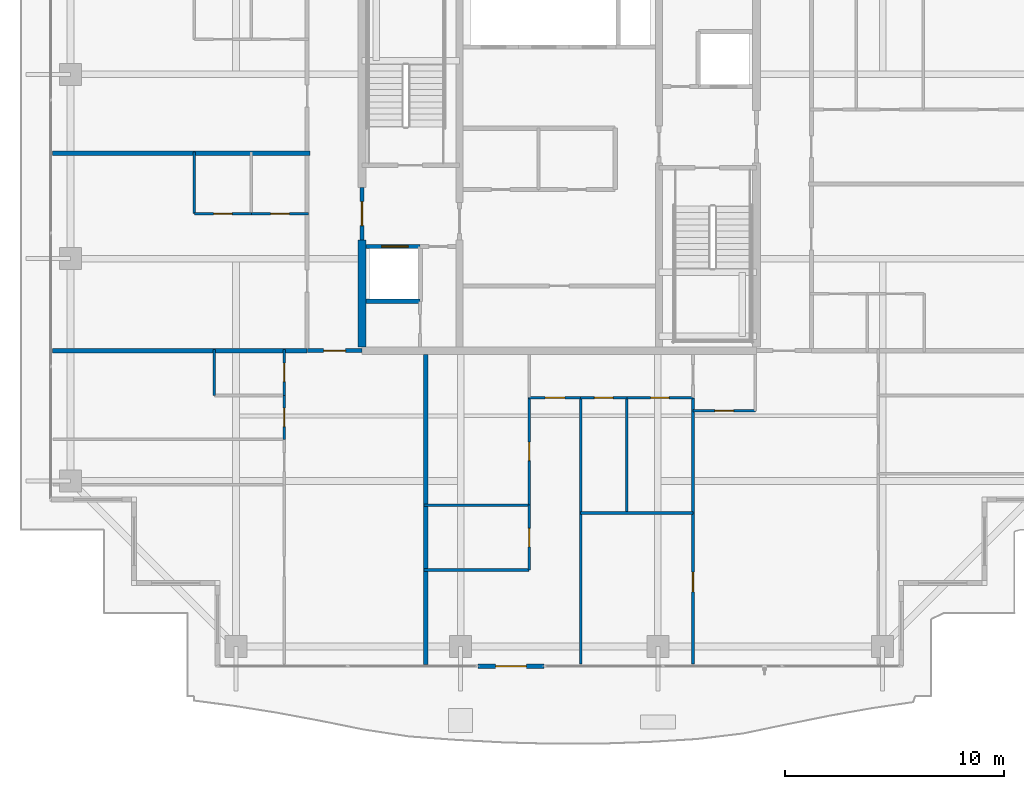
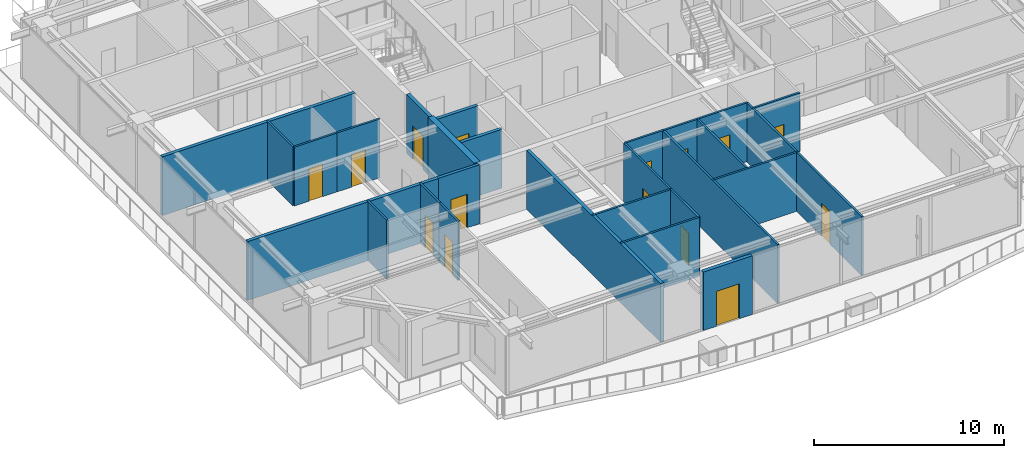
# One storey, part 31 of 42: 28 walls, 15 doors, 15 openings.
"""IFC4 building model written with IfcOpenShell, lengths in metres."""

from ifc_helpers import new_model, si_unit, direction, frame, frame_2d, origin, place, context, subcontext, project, spatial, rectangle, extrude, source, transform, mapped, material, layer, layer_set, type_object, element, fill, save


model = new_model("IFC4")

# Units and contexts
model_context = context("Model", 3, precision=1e-05, world=origin(), true_north=direction((0.0, 1.0)))
body_context = subcontext(model_context, "Body", "Model", "MODEL_VIEW")
ifc_project = project(units=[si_unit("LENGTHUNIT", "METRE"), si_unit("AREAUNIT", "SQUARE_METRE"), si_unit("VOLUMEUNIT", "CUBIC_METRE"), si_unit("PLANEANGLEUNIT", "RADIAN"), si_unit("MASSUNIT", "GRAM", prefix="KILO")], contexts=[model_context])

# Site, building, storey
site_placement = place(None, origin())
site = spatial("IfcSite", under=ifc_project, at=site_placement, CompositionType="ELEMENT")
building_placement = place(site_placement, origin())
building = spatial("IfcBuilding", under=site, at=building_placement, Name="Serunith Strait Residences", CompositionType="ELEMENT")
storey_placement = place(building_placement, frame((0.0, 0.0, 325.85009765625)))
storey = spatial("IfcBuildingStorey", under=building, at=storey_placement, Name="L81", CompositionType="ELEMENT", Elevation=325.85009765625)

# Wall, opening, door
ifc_material_1 = material(Name="Pale-Champagne Aluminium Insulated Panel", Category="aluminium")
ifc_layer_1 = layer(ifc_material_1, 0.219970703125, Name="Pale-Champagne Aluminium Insulated Panel")
ifc_layer_set_1 = layer_set([ifc_layer_1], Name="Pale-Champagne Aluminium Insulated Panel")
wall_type_1 = type_object("IfcWallType", Name="EW-ALUM-220", PredefinedType="ELEMENTEDWALL", material=ifc_layer_set_1)
wall_1_placement = place(storey_placement, frame((28.699951171875, 2.39990234375, 0.0), z_axis=(0.0, 0.0, 1.0), x_axis=(1.0, 0.0, 0.0)))
wall_1 = element("IfcWall", 1, at=wall_1_placement, inside=storey, type_object=wall_type_1, Name="L81 S Facade Pier Wall", PredefinedType="ELEMENTEDWALL", context=body_context, shape_type="SweptSolid", body=[
    extrude(rectangle(XDim=3.0, YDim=0.219970703125, at=frame_2d((1.5, 0.0))), origin(), (0.0, 0.0, 1.0), 3.77490234375),
])
opening_1_placement = place(wall_1_placement, frame((0.800048828125, 0.0, 0.0)))
opening_1 = element("IfcOpeningElement", 2, at=opening_1_placement, cuts=wall_1, Name="Opening ED-04", PredefinedType="OPENING", context=body_context, shape_type="SweptSolid", body=[
    extrude(rectangle(XDim=1.39990234375, YDim=2.25, at=frame_2d((0.699951171875, 1.125))), frame((0.0, 0.1201171875, 0.0), z_axis=(0.0, -1.0, 0.0), x_axis=(1.0, 0.0, 0.0)), (0.0, 0.0, 1.0), 0.239990234375),
])
ifc_material_2 = material(Name="Thermally-Broken Aluminium Sliding Balcony Door", Category="aluminium")
door_type_1 = type_object("IfcDoorType", Name="ED-BALC-1400", OperationType="NOTDEFINED", PredefinedType="DOOR", material=ifc_material_2)
shared_shape_1 = source(origin(), body_context, "Body", "SweptSolid", [
    extrude(rectangle(XDim=1.39990234375, YDim=2.25, at=frame_2d((0.699951171875, 1.125))), frame((0.0, 0.02490234375, 0.0), z_axis=(0.0, -1.0, 0.0), x_axis=(1.0, 0.0, 0.0)), (0.0, 0.0, 1.0), 0.050048828125),
])
door_1_placement = place(opening_1_placement, origin())
door_1 = element("IfcDoor", 3, at=door_1_placement, inside=storey, type_object=door_type_1, Name="L81 S Vertical-Forest Balcony Door", OperationType="SLIDING_TO_LEFT", OverallHeight=2.25, OverallWidth=1.39990234375, PredefinedType="DOOR", context=body_context, shape_type="MappedRepresentation", body=[
    mapped(shared_shape_1, transform((0.0, 0.0, 0.0), scale=1.0)),
])
fill(opening_1, door_1)

ifc_material_3 = material(Name="Fire-rated acoustic gypsum partition")
ifc_layer_2 = layer(ifc_material_3, 0.179931640625, Name="Fire-rated acoustic gypsum partition")
ifc_layer_set_2 = layer_set([ifc_layer_2], Name="Fire-rated acoustic gypsum partition")
wall_type_2 = type_object("IfcWallType", Name="IW-CORR-180", PredefinedType="PARTITIONING", material=ifc_layer_set_2)
wall_2_placement = place(storey_placement, frame((20.902099609375, 16.800048828125, 0.0), z_axis=(0.0, 0.0, 1.0), x_axis=(1.0, 0.0, 0.0)))
wall_2 = element("IfcWall", 4, at=wall_2_placement, inside=storey, type_object=wall_type_2, Name="L81 Partition Wall 026", PredefinedType="PARTITIONING", context=body_context, shape_type="SweptSolid", body=[
    extrude(rectangle(XDim=2.495849609375, YDim=0.179931640625, at=frame_2d((1.248046875, 0.0))), origin(), (0.0, 0.0, 1.0), 3.789794921875),
])
opening_2_placement = place(wall_2_placement, frame((0.748046875, 0.0, 0.0)))
opening_2 = element("IfcOpeningElement", 5, at=opening_2_placement, cuts=wall_2, Name="Opening D-APT1000", PredefinedType="OPENING", context=body_context, shape_type="SweptSolid", body=[
    extrude(rectangle(XDim=1.0, YDim=2.14990234375, at=frame_2d((0.5, 1.074951171875))), frame((0.0, 0.10009765625, 0.0), z_axis=(0.0, -1.0, 0.0), x_axis=(1.0, 0.0, 0.0)), (0.0, 0.0, 1.0), 0.199951171875),
])
ifc_material_4 = material(Name="Solid timber engineered fire door", Category="wood")
door_type_2 = type_object("IfcDoorType", Name="ID-APT-1000", OperationType="NOTDEFINED", PredefinedType="DOOR", material=ifc_material_4)
shared_shape_2 = source(origin(), body_context, "Body", "SweptSolid", [
    extrude(rectangle(XDim=1.0, YDim=2.14990234375, at=frame_2d((0.5, 1.074951171875))), frame((0.0, 0.02490234375, 0.0), z_axis=(0.0, -1.0, 0.0), x_axis=(1.0, 0.0, 0.0)), (0.0, 0.0, 1.0), 0.050048828125),
])
door_2_placement = place(opening_2_placement, origin())
door_2 = element("IfcDoor", 6, at=door_2_placement, inside=storey, type_object=door_type_2, Name="L81 Unit 01 Entrance Door", OperationType="SINGLE_SWING_LEFT", OverallHeight=2.14990234375, OverallWidth=1.0, PredefinedType="DOOR", context=body_context, shape_type="MappedRepresentation", body=[
    mapped(shared_shape_2, transform((0.0, 0.0, 0.0), scale=1.0)),
])
fill(opening_2, door_2)

# Wall
ifc_material_5 = material(Name="Lightweight steel-stud gypsum partition", Category="steel")
ifc_layer_3 = layer(ifc_material_5, 0.1201171875, Name="Lightweight steel-stud gypsum partition")
ifc_layer_set_3 = layer_set([ifc_layer_3], Name="Lightweight steel-stud gypsum partition")
wall_type_3 = type_object("IfcWallType", Name="IW-PART-120", PredefinedType="PARTITIONING", material=ifc_layer_set_3)
wall_3_placement = place(storey_placement, frame((16.659912109375, 14.75, 0.0), z_axis=(0.0, 0.0, 1.0), x_axis=(0.0, 1.0, 0.0)))
element("IfcWall", 7, at=wall_3_placement, inside=storey, type_object=wall_type_3, Name="L81 Partition Wall 036", PredefinedType="PARTITIONING", context=body_context, shape_type="SweptSolid", body=[
    extrude(rectangle(XDim=2.110107421875, YDim=0.1201171875, at=frame_2d((1.05517578125, 0.0))), origin(), (0.0, 0.0, 1.0), 3.789794921875),
])

# Wall, opening, door
wall_4_placement = place(storey_placement, frame((19.860107421875, 12.751953125, 0.0), z_axis=(0.0, 0.0, 1.0), x_axis=(0.0, 1.0, 0.0)))
wall_4 = element("IfcWall", 8, at=wall_4_placement, inside=storey, type_object=wall_type_3, Name="L81 Partition Wall 038", PredefinedType="PARTITIONING", context=body_context, shape_type="SweptSolid", body=[
    extrude(rectangle(XDim=1.998046875, YDim=0.1201171875, at=frame_2d((0.9990234375, 0.0))), origin(), (0.0, 0.0, 1.0), 3.789794921875),
])
opening_3_placement = place(wall_4_placement, frame((0.573974609375, 0.0, 0.0)))
opening_3 = element("IfcOpeningElement", 9, at=opening_3_placement, cuts=wall_4, Name="Opening D-RM850", PredefinedType="OPENING", context=body_context, shape_type="SweptSolid", body=[
    extrude(rectangle(XDim=0.85009765625, YDim=2.10009765625, at=frame_2d((0.425048828125, 1.050048828125))), frame((0.0, 0.070068359375, 0.0), z_axis=(0.0, -1.0, 0.0), x_axis=(1.0, 0.0, 0.0)), (0.0, 0.0, 1.0), 0.14013671875),
])
ifc_material_6 = material(Name="Engineered timber flush study and kitchen door", Category="wood")
door_type_3 = type_object("IfcDoorType", Name="ID-ROOM-850", OperationType="NOTDEFINED", PredefinedType="DOOR", material=ifc_material_6)
shared_shape_3 = source(origin(), body_context, "Body", "SweptSolid", [
    extrude(rectangle(XDim=0.85009765625, YDim=2.10009765625, at=frame_2d((0.425048828125, 1.050048828125))), frame((0.0, 0.02490234375, 0.0), z_axis=(0.0, -1.0, 0.0), x_axis=(1.0, 0.0, 0.0)), (0.0, 0.0, 1.0), 0.050048828125),
])
door_3_placement = place(opening_3_placement, origin())
door_3 = element("IfcDoor", 10, at=door_3_placement, inside=storey, type_object=door_type_3, Name="L81 Kitchen 8101 Door", OperationType="SINGLE_SWING_LEFT", OverallHeight=2.10009765625, OverallWidth=0.85009765625, PredefinedType="DOOR", context=body_context, shape_type="MappedRepresentation", body=[
    mapped(shared_shape_3, transform((0.0, 0.0, 0.0), scale=1.0)),
])
fill(opening_3, door_3)

wall_5_placement = place(storey_placement, frame((19.860107421875, 14.751953125, 0.0), z_axis=(0.0, 0.0, 1.0), x_axis=(0.0, 1.0, 0.0)))
wall_5 = element("IfcWall", 11, at=wall_5_placement, inside=storey, type_object=wall_type_3, Name="L81 Partition Wall 039", PredefinedType="PARTITIONING", context=body_context, shape_type="SweptSolid", body=[
    extrude(rectangle(XDim=2.108154296875, YDim=0.1201171875, at=frame_2d((1.05419921875, 0.0))), origin(), (0.0, 0.0, 1.0), 3.789794921875),
])
opening_4_placement = place(wall_5_placement, frame((0.62890625, 0.0, 0.0)))
opening_4 = element("IfcOpeningElement", 12, at=opening_4_placement, cuts=wall_5, Name="Opening D-BTH850", PredefinedType="OPENING", context=body_context, shape_type="SweptSolid", body=[
    extrude(rectangle(XDim=0.85009765625, YDim=2.10009765625, at=frame_2d((0.425048828125, 1.050048828125))), frame((0.0, 0.070068359375, 0.0), z_axis=(0.0, -1.0, 0.0), x_axis=(1.0, 0.0, 0.0)), (0.0, 0.0, 1.0), 0.14013671875),
])
ifc_material_7 = material(Name="Moisture-resistant timber bathroom door", Category="wood")
door_type_4 = type_object("IfcDoorType", Name="ID-BATH-850", OperationType="NOTDEFINED", PredefinedType="DOOR", material=ifc_material_7)
door_4_placement = place(opening_4_placement, origin())
door_4 = element("IfcDoor", 13, at=door_4_placement, inside=storey, type_object=door_type_4, Name="L81 Bathroom 8101 Door", OperationType="SINGLE_SWING_RIGHT", OverallHeight=2.10009765625, OverallWidth=0.85009765625, PredefinedType="DOOR", context=body_context, shape_type="MappedRepresentation", body=[
    mapped(shared_shape_3, transform((0.0, 0.0, 0.0), scale=1.0)),
])
fill(opening_4, door_4)

wall_6_placement = place(storey_placement, frame((38.5, 14.050048828125, 0.0), z_axis=(0.0, 0.0, 1.0), x_axis=(1.0, 0.0, 0.0)))
wall_6 = element("IfcWall", 14, at=wall_6_placement, inside=storey, type_object=wall_type_3, Name="L81 Partition Wall 040", PredefinedType="PARTITIONING", context=body_context, shape_type="SweptSolid", body=[
    extrude(rectangle(XDim=2.85009765625, YDim=0.1201171875, at=frame_2d((1.425048828125, 0.0))), origin(), (0.0, 0.0, 1.0), 3.789794921875),
])
opening_5_placement = place(wall_6_placement, frame((1.0, 0.0, 0.0)))
opening_5 = element("IfcOpeningElement", 15, at=opening_5_placement, cuts=wall_6, Name="Opening D-RM850", PredefinedType="OPENING", context=body_context, shape_type="SweptSolid", body=[
    extrude(rectangle(XDim=0.85009765625, YDim=2.10009765625, at=frame_2d((0.425048828125, 1.050048828125))), frame((0.0, 0.070068359375, 0.0), z_axis=(0.0, -1.0, 0.0), x_axis=(1.0, 0.0, 0.0)), (0.0, 0.0, 1.0), 0.14013671875),
])
door_5_placement = place(opening_5_placement, origin())
door_5 = element("IfcDoor", 16, at=door_5_placement, inside=storey, type_object=door_type_3, Name="L81 Kitchen 8102 Door", OperationType="SINGLE_SWING_LEFT", OverallHeight=2.10009765625, OverallWidth=0.85009765625, PredefinedType="DOOR", context=body_context, shape_type="MappedRepresentation", body=[
    mapped(shared_shape_3, transform((0.0, 0.0, 0.0), scale=1.0)),
])
fill(opening_5, door_5)

wall_7_placement = place(storey_placement, frame((38.5, 2.4951171875, 0.0), z_axis=(0.0, 0.0, 1.0), x_axis=(0.0, 1.0, 0.0)))
wall_7 = element("IfcWall", 17, at=wall_7_placement, inside=storey, type_object=wall_type_3, Name="L81 Partition Wall 043", PredefinedType="PARTITIONING", context=body_context, shape_type="SweptSolid", body=[
    extrude(rectangle(XDim=6.892822265625, YDim=0.1201171875, at=frame_2d((3.4462890625, 0.0))), origin(), (0.0, 0.0, 1.0), 3.789794921875),
])
opening_6_placement = place(wall_7_placement, frame((3.2958984375, 0.0, 0.0)))
opening_6 = element("IfcOpeningElement", 18, at=opening_6_placement, cuts=wall_7, Name="Opening D-RM900", PredefinedType="OPENING", context=body_context, shape_type="SweptSolid", body=[
    extrude(rectangle(XDim=0.89990234375, YDim=2.10009765625, at=frame_2d((0.449951171875, 1.050048828125))), frame((0.0, 0.070068359375, 0.0), z_axis=(0.0, -1.0, 0.0), x_axis=(1.0, 0.0, 0.0)), (0.0, 0.0, 1.0), 0.14013671875),
])
ifc_material_8 = material(Name="Engineered timber flush bedroom door", Category="wood")
door_type_5 = type_object("IfcDoorType", Name="ID-ROOM-900", OperationType="NOTDEFINED", PredefinedType="DOOR", material=ifc_material_8)
shared_shape_4 = source(origin(), body_context, "Body", "SweptSolid", [
    extrude(rectangle(XDim=0.89990234375, YDim=2.10009765625, at=frame_2d((0.449951171875, 1.050048828125))), frame((0.0, 0.02490234375, 0.0), z_axis=(0.0, -1.0, 0.0), x_axis=(1.0, 0.0, 0.0)), (0.0, 0.0, 1.0), 0.050048828125),
])
door_6_placement = place(opening_6_placement, origin())
door_6 = element("IfcDoor", 19, at=door_6_placement, inside=storey, type_object=door_type_5, Name="L81 Formal Dining Room 1 8102 Door", OperationType="SINGLE_SWING_LEFT", OverallHeight=2.10009765625, OverallWidth=0.89990234375, PredefinedType="DOOR", context=body_context, shape_type="MappedRepresentation", body=[
    mapped(shared_shape_4, transform((0.0, 0.0, 0.0), scale=1.0)),
])
fill(opening_6, door_6)

# Walls
wall_8_placement = place(storey_placement, frame((38.5, 9.389892578125, 0.0), z_axis=(0.0, 0.0, 1.0), x_axis=(0.0, 1.0, 0.0)))
element("IfcWall", 20, at=wall_8_placement, inside=storey, type_object=wall_type_3, Name="L81 Partition Wall 044", PredefinedType="PARTITIONING", context=body_context, shape_type="SweptSolid", body=[
    extrude(rectangle(XDim=5.258056640625, YDim=0.1201171875, at=frame_2d((2.62890625, 0.0))), origin(), (0.0, 0.0, 1.0), 3.789794921875),
])
wall_9_placement = place(storey_placement, frame((33.3798828125, 9.387939453125, 0.0), z_axis=(0.0, 0.0, 1.0), x_axis=(1.0, 0.0, 0.0)))
element("IfcWall", 21, at=wall_9_placement, inside=storey, type_object=wall_type_3, Name="L81 Partition Wall 045", PredefinedType="PARTITIONING", context=body_context, shape_type="SweptSolid", body=[
    extrude(rectangle(XDim=5.1201171875, YDim=0.1201171875, at=frame_2d((2.56005859375, 0.0))), origin(), (0.0, 0.0, 1.0), 3.789794921875),
])
wall_10_placement = place(storey_placement, frame((33.3798828125, 2.4951171875, 0.0), z_axis=(0.0, 0.0, 1.0), x_axis=(0.0, 1.0, 0.0)))
element("IfcWall", 22, at=wall_10_placement, inside=storey, type_object=wall_type_3, Name="L81 Partition Wall 046", PredefinedType="PARTITIONING", context=body_context, shape_type="SweptSolid", body=[
    extrude(rectangle(XDim=12.15478515625, YDim=0.1201171875, at=frame_2d((6.077392578125, 0.0))), origin(), (0.0, 0.0, 1.0), 3.789794921875),
])
wall_11_placement = place(storey_placement, frame((35.47998046875, 9.387939453125, 0.0), z_axis=(0.0, 0.0, 1.0), x_axis=(0.0, 1.0, 0.0)))
element("IfcWall", 23, at=wall_11_placement, inside=storey, type_object=wall_type_3, Name="L81 Partition Wall 047", PredefinedType="PARTITIONING", context=body_context, shape_type="SweptSolid", body=[
    extrude(rectangle(XDim=5.261962890625, YDim=0.1201171875, at=frame_2d((2.630859375, 0.0))), origin(), (0.0, 0.0, 1.0), 3.789794921875),
])

# Wall, opening, door
wall_12_placement = place(storey_placement, frame((33.3798828125, 14.64990234375, 0.0), z_axis=(0.0, 0.0, 1.0), x_axis=(1.0, 0.0, 0.0)))
wall_12 = element("IfcWall", 24, at=wall_12_placement, inside=storey, type_object=wall_type_3, Name="L81 Partition Wall 048", PredefinedType="PARTITIONING", context=body_context, shape_type="SweptSolid", body=[
    extrude(rectangle(XDim=2.10009765625, YDim=0.1201171875, at=frame_2d((1.050048828125, 0.0))), origin(), (0.0, 0.0, 1.0), 3.789794921875),
])
opening_7_placement = place(wall_12_placement, frame((0.625, 0.0, 0.0)))
opening_7 = element("IfcOpeningElement", 25, at=opening_7_placement, cuts=wall_12, Name="Opening D-BTH850", PredefinedType="OPENING", context=body_context, shape_type="SweptSolid", body=[
    extrude(rectangle(XDim=0.85009765625, YDim=2.10009765625, at=frame_2d((0.425048828125, 1.050048828125))), frame((0.0, 0.070068359375, 0.0), z_axis=(0.0, -1.0, 0.0), x_axis=(1.0, 0.0, 0.0)), (0.0, 0.0, 1.0), 0.14013671875),
])
door_7_placement = place(opening_7_placement, origin())
door_7 = element("IfcDoor", 26, at=door_7_placement, inside=storey, type_object=door_type_4, Name="L81 Bathroom 8102 Door", OperationType="SINGLE_SWING_RIGHT", OverallHeight=2.10009765625, OverallWidth=0.85009765625, PredefinedType="DOOR", context=body_context, shape_type="MappedRepresentation", body=[
    mapped(shared_shape_3, transform((0.0, 0.0, 0.0), scale=1.0)),
])
fill(opening_7, door_7)

wall_13_placement = place(storey_placement, frame((35.48193359375, 14.64990234375, 0.0), z_axis=(0.0, 0.0, 1.0), x_axis=(1.0, 0.0, 0.0)))
wall_13 = element("IfcWall", 27, at=wall_13_placement, inside=storey, type_object=wall_type_3, Name="L81 Partition Wall 049", PredefinedType="PARTITIONING", context=body_context, shape_type="SweptSolid", body=[
    extrude(rectangle(XDim=3.01806640625, YDim=0.1201171875, at=frame_2d((1.509033203125, 0.0))), origin(), (0.0, 0.0, 1.0), 3.789794921875),
])
opening_8_placement = place(wall_13_placement, frame((1.083984375, 0.0, 0.0)))
opening_8 = element("IfcOpeningElement", 28, at=opening_8_placement, cuts=wall_13, Name="Opening D-RM850", PredefinedType="OPENING", context=body_context, shape_type="SweptSolid", body=[
    extrude(rectangle(XDim=0.85009765625, YDim=2.10009765625, at=frame_2d((0.425048828125, 1.050048828125))), frame((0.0, 0.070068359375, 0.0), z_axis=(0.0, -1.0, 0.0), x_axis=(1.0, 0.0, 0.0)), (0.0, 0.0, 1.0), 0.14013671875),
])
door_8_placement = place(opening_8_placement, origin())
door_8 = element("IfcDoor", 29, at=door_8_placement, inside=storey, type_object=door_type_3, Name="L81 Formal Dining Room 8102 Door", OperationType="SINGLE_SWING_LEFT", OverallHeight=2.10009765625, OverallWidth=0.85009765625, PredefinedType="DOOR", context=body_context, shape_type="MappedRepresentation", body=[
    mapped(shared_shape_3, transform((0.0, 0.0, 0.0), scale=1.0)),
])
fill(opening_8, door_8)

wall_14_placement = place(storey_placement, frame((31.030029296875, 14.64990234375, 0.0), z_axis=(0.0, 0.0, 1.0), x_axis=(1.0, 0.0, 0.0)))
wall_14 = element("IfcWall", 30, at=wall_14_placement, inside=storey, type_object=wall_type_3, Name="L81 Partition Wall 050", PredefinedType="PARTITIONING", context=body_context, shape_type="SweptSolid", body=[
    extrude(rectangle(XDim=2.347900390625, YDim=0.1201171875, at=frame_2d((1.173828125, 0.0))), origin(), (0.0, 0.0, 1.0), 3.789794921875),
])
opening_9_placement = place(wall_14_placement, frame((0.72412109375, 0.0, 0.0)))
opening_9 = element("IfcOpeningElement", 31, at=opening_9_placement, cuts=wall_14, Name="Opening D-RM900", PredefinedType="OPENING", context=body_context, shape_type="SweptSolid", body=[
    extrude(rectangle(XDim=0.89990234375, YDim=2.10009765625, at=frame_2d((0.449951171875, 1.050048828125))), frame((0.0, 0.070068359375, 0.0), z_axis=(0.0, -1.0, 0.0), x_axis=(1.0, 0.0, 0.0)), (0.0, 0.0, 1.0), 0.14013671875),
])
door_9_placement = place(opening_9_placement, origin())
door_9 = element("IfcDoor", 32, at=door_9_placement, inside=storey, type_object=door_type_5, Name="L81 Master Bedroom W 8102 Door", OperationType="SINGLE_SWING_RIGHT", OverallHeight=2.10009765625, OverallWidth=0.89990234375, PredefinedType="DOOR", context=body_context, shape_type="MappedRepresentation", body=[
    mapped(shared_shape_4, transform((0.0, 0.0, 0.0), scale=1.0)),
])
fill(opening_9, door_9)

# Walls
for number, where, z_axis, x_axis, name in (
    (33, (26.239990234375, 6.7880859375, 0.0), (0.0, 0.0, 1.0), (1.0, 0.0, 0.0), "L81 Partition Wall 051"),
    (34, (26.239990234375, 9.748046875, 0.0), (0.0, 0.0, 1.0), (1.0, 0.0, 0.0), "L81 Partition Wall 052"),
):
    element("IfcWall", number, at=place(storey_placement, frame(where, z_axis=z_axis, x_axis=x_axis)), inside=storey, type_object=wall_type_3, Name=name, PredefinedType="PARTITIONING", context=body_context, shape_type="SweptSolid", body=[
        extrude(rectangle(XDim=4.7900390625, YDim=0.1201171875, at=frame_2d((2.39501953125, 0.0))), origin(), (0.0, 0.0, 1.0), 3.789794921875),
    ])

# Wall, opening, door
wall_15_placement = place(storey_placement, frame((31.030029296875, 6.7880859375, 0.0), z_axis=(0.0, 0.0, 1.0), x_axis=(0.0, 1.0, 0.0)))
wall_15 = element("IfcWall", 35, at=wall_15_placement, inside=storey, type_object=wall_type_3, Name="L81 Partition Wall 053", PredefinedType="PARTITIONING", context=body_context, shape_type="SweptSolid", body=[
    extrude(rectangle(XDim=2.9599609375, YDim=0.1201171875, at=frame_2d((1.47998046875, 0.0))), origin(), (0.0, 0.0, 1.0), 3.789794921875),
])
opening_10_placement = place(wall_15_placement, frame((1.054931640625, 0.0, 0.0)))
opening_10 = element("IfcOpeningElement", 36, at=opening_10_placement, cuts=wall_15, Name="Opening D-BTH850", PredefinedType="OPENING", context=body_context, shape_type="SweptSolid", body=[
    extrude(rectangle(XDim=0.85009765625, YDim=2.10009765625, at=frame_2d((0.425048828125, 1.050048828125))), frame((0.0, 0.070068359375, 0.0), z_axis=(0.0, -1.0, 0.0), x_axis=(1.0, 0.0, 0.0)), (0.0, 0.0, 1.0), 0.14013671875),
])
door_10_placement = place(opening_10_placement, origin())
door_10 = element("IfcDoor", 37, at=door_10_placement, inside=storey, type_object=door_type_4, Name="L81 En-suite Bathroom W 8102 Door", OperationType="SINGLE_SWING_LEFT", OverallHeight=2.10009765625, OverallWidth=0.85009765625, PredefinedType="DOOR", context=body_context, shape_type="MappedRepresentation", body=[
    mapped(shared_shape_3, transform((0.0, 0.0, 0.0), scale=1.0)),
])
fill(opening_10, door_10)

wall_16_placement = place(storey_placement, frame((31.030029296875, 9.75, 0.0), z_axis=(0.0, 0.0, 1.0), x_axis=(0.0, 1.0, 0.0)))
wall_16 = element("IfcWall", 38, at=wall_16_placement, inside=storey, type_object=wall_type_3, Name="L81 Partition Wall 054", PredefinedType="PARTITIONING", context=body_context, shape_type="SweptSolid", body=[
    extrude(rectangle(XDim=4.89990234375, YDim=0.1201171875, at=frame_2d((2.449951171875, 0.0))), origin(), (0.0, 0.0, 1.0), 3.789794921875),
])
opening_11_placement = place(wall_16_placement, frame((2.02490234375, 0.0, 0.0)))
opening_11 = element("IfcOpeningElement", 39, at=opening_11_placement, cuts=wall_16, Name="Opening D-RM850", PredefinedType="OPENING", context=body_context, shape_type="SweptSolid", body=[
    extrude(rectangle(XDim=0.85009765625, YDim=2.10009765625, at=frame_2d((0.425048828125, 1.050048828125))), frame((0.0, 0.070068359375, 0.0), z_axis=(0.0, -1.0, 0.0), x_axis=(1.0, 0.0, 0.0)), (0.0, 0.0, 1.0), 0.14013671875),
])
door_11_placement = place(opening_11_placement, origin())
door_11 = element("IfcDoor", 40, at=door_11_placement, inside=storey, type_object=door_type_3, Name="L81 Wardrobe W 8102 Door", OperationType="SINGLE_SWING_RIGHT", OverallHeight=2.10009765625, OverallWidth=0.85009765625, PredefinedType="DOOR", context=body_context, shape_type="MappedRepresentation", body=[
    mapped(shared_shape_3, transform((0.0, 0.0, 0.0), scale=1.0)),
])
fill(opening_11, door_11)

wall_17_placement = place(storey_placement, frame((15.75, 23.050048828125, 0.0), z_axis=(0.0, 0.0, 1.0), x_axis=(1.0, 0.0, 0.0)))
wall_17 = element("IfcWall", 41, at=wall_17_placement, inside=storey, type_object=wall_type_3, Name="L81 Partition Wall 085", PredefinedType="PARTITIONING", context=body_context, shape_type="SweptSolid", body=[
    extrude(rectangle(XDim=2.60009765625, YDim=0.1201171875, at=frame_2d((1.300048828125, 0.0))), origin(), (0.0, 0.0, 1.0), 3.789794921875),
])
opening_12_placement = place(wall_17_placement, frame((0.875, 0.0, 0.0)))
opening_12 = element("IfcOpeningElement", 42, at=opening_12_placement, cuts=wall_17, Name="Opening D-RM850", PredefinedType="OPENING", context=body_context, shape_type="SweptSolid", body=[
    extrude(rectangle(XDim=0.85009765625, YDim=2.10009765625, at=frame_2d((0.425048828125, 1.050048828125))), frame((0.0, 0.070068359375, 0.0), z_axis=(0.0, -1.0, 0.0), x_axis=(1.0, 0.0, 0.0)), (0.0, 0.0, 1.0), 0.14013671875),
])
door_12_placement = place(opening_12_placement, origin())
door_12 = element("IfcDoor", 43, at=door_12_placement, inside=storey, type_object=door_type_3, Name="L81 Kitchen 8105 Door", OperationType="SINGLE_SWING_RIGHT", OverallHeight=2.10009765625, OverallWidth=0.85009765625, PredefinedType="DOOR", context=body_context, shape_type="MappedRepresentation", body=[
    mapped(shared_shape_3, transform((0.0, 0.0, 0.0), scale=1.0)),
])
fill(opening_12, door_12)

wall_18_placement = place(storey_placement, frame((18.35205078125, 23.050048828125, 0.0), z_axis=(0.0, 0.0, 1.0), x_axis=(1.0, 0.0, 0.0)))
wall_18 = element("IfcWall", 44, at=wall_18_placement, inside=storey, type_object=wall_type_3, Name="L81 Partition Wall 086", PredefinedType="PARTITIONING", context=body_context, shape_type="SweptSolid", body=[
    extrude(rectangle(XDim=2.60791015625, YDim=0.1201171875, at=frame_2d((1.303955078125, 0.0))), origin(), (0.0, 0.0, 1.0), 3.789794921875),
])
opening_13_placement = place(wall_18_placement, frame((0.87890625, 0.0, 0.0)))
opening_13 = element("IfcOpeningElement", 45, at=opening_13_placement, cuts=wall_18, Name="Opening D-BTH850", PredefinedType="OPENING", context=body_context, shape_type="SweptSolid", body=[
    extrude(rectangle(XDim=0.85009765625, YDim=2.10009765625, at=frame_2d((0.425048828125, 1.050048828125))), frame((0.0, 0.070068359375, 0.0), z_axis=(0.0, -1.0, 0.0), x_axis=(1.0, 0.0, 0.0)), (0.0, 0.0, 1.0), 0.14013671875),
])
door_13_placement = place(opening_13_placement, origin())
door_13 = element("IfcDoor", 46, at=door_13_placement, inside=storey, type_object=door_type_4, Name="L81 Bathroom 8105 Door", OperationType="SINGLE_SWING_LEFT", OverallHeight=2.10009765625, OverallWidth=0.85009765625, PredefinedType="DOOR", context=body_context, shape_type="MappedRepresentation", body=[
    mapped(shared_shape_3, transform((0.0, 0.0, 0.0), scale=1.0)),
])
fill(opening_13, door_13)

# Walls
wall_19_placement = place(storey_placement, frame((15.75, 23.050048828125, 0.0), z_axis=(0.0, 0.0, 1.0), x_axis=(0.0, 1.0, 0.0)))
element("IfcWall", 47, at=wall_19_placement, inside=storey, type_object=wall_type_3, Name="L81 Partition Wall 088", PredefinedType="PARTITIONING", context=body_context, shape_type="SweptSolid", body=[
    extrude(rectangle(XDim=2.81005859375, YDim=0.1201171875, at=frame_2d((1.405029296875, 0.0))), origin(), (0.0, 0.0, 1.0), 3.789794921875),
])
ifc_material_9 = material(Name="Twin-stud acoustic gypsum board partition")
ifc_layer_4 = layer(ifc_material_9, 0.199951171875, Name="Twin-stud acoustic gypsum board partition")
ifc_layer_set_4 = layer_set([ifc_layer_4], Name="Twin-stud acoustic gypsum board partition")
wall_type_4 = type_object("IfcWallType", Name="IW-PARTY-200", PredefinedType="PARTITIONING", material=ifc_layer_set_4)
wall_20_placement = place(storey_placement, frame((26.300048828125, 2.48193359375, 0.0), z_axis=(0.0, 0.0, 1.0), x_axis=(0.0, 1.0, 0.0)))
element("IfcWall", 48, at=wall_20_placement, inside=storey, type_object=wall_type_4, Name="L81 Partition Wall 018", PredefinedType="PARTITIONING", context=body_context, shape_type="SweptSolid", body=[
    extrude(rectangle(XDim=14.14306640625, YDim=0.199951171875, at=frame_2d((7.071533203125, 0.0))), origin(), (0.0, 0.0, 1.0), 3.789794921875),
])
wall_21_placement = place(storey_placement, frame((9.281982421875, 25.800048828125, 0.0), z_axis=(0.0, 0.0, 1.0), x_axis=(1.0, 0.0, 0.0)))
element("IfcWall", 49, at=wall_21_placement, inside=storey, type_object=wall_type_4, Name="L81 Partition Wall 020", PredefinedType="PARTITIONING", context=body_context, shape_type="SweptSolid", body=[
    extrude(rectangle(XDim=11.738037109375, YDim=0.199951171875, at=frame_2d((5.869140625, 0.0))), origin(), (0.0, 0.0, 1.0), 3.789794921875),
])
wall_22_placement = place(storey_placement, frame((9.281982421875, 16.800048828125, 0.0), z_axis=(0.0, 0.0, 1.0), x_axis=(1.0, 0.0, 0.0)))
element("IfcWall", 50, at=wall_22_placement, inside=storey, type_object=wall_type_4, Name="L81 Partition Wall 022", PredefinedType="PARTITIONING", context=body_context, shape_type="SweptSolid", body=[
    extrude(rectangle(XDim=11.617919921875, YDim=0.199951171875, at=frame_2d((5.80908203125, 0.0))), origin(), (0.0, 0.0, 1.0), 3.789794921875),
])

# Wall, opening, door
ifc_material_10 = material(Name="Autoclaved aerated concrete blockwork", Category="masonry")
ifc_layer_5 = layer(ifc_material_10, 0.199951171875, Name="Autoclaved aerated concrete blockwork")
ifc_layer_set_5 = layer_set([ifc_layer_5], Name="Autoclaved aerated concrete blockwork")
wall_type_5 = type_object("IfcWallType", Name="IW-SHAFT-200", PredefinedType="STANDARD", material=ifc_layer_set_5)
wall_23_placement = place(storey_placement, frame((23.574951171875, 21.550048828125, 0.0), z_axis=(0.0, 0.0, 1.0), x_axis=(1.0, 0.0, 0.0)))
wall_23 = element("IfcWall", 51, at=wall_23_placement, inside=storey, type_object=wall_type_5, Name="L81 FL-1 North Shaft Wall", PredefinedType="STANDARD", context=body_context, shape_type="SweptSolid", body=[
    extrude(rectangle(XDim=2.47509765625, YDim=0.199951171875, at=frame_2d((1.237548828125, 0.0))), origin(), (0.0, 0.0, 1.0), 3.789794921875),
])
opening_14_placement = place(wall_23_placement, frame((0.72509765625, 0.0, 0.0)))
opening_14 = element("IfcOpeningElement", 52, at=opening_14_placement, cuts=wall_23, Name="Opening LD-FF1200", PredefinedType="OPENING", context=body_context, shape_type="SweptSolid", body=[
    extrude(rectangle(XDim=1.199951171875, YDim=2.199951171875, at=frame_2d((0.60009765625, 1.10009765625))), frame((0.0, 0.10986328125, 0.0), z_axis=(0.0, -1.0, 0.0), x_axis=(1.0, 0.0, 0.0)), (0.0, 0.0, 1.0), 0.219970703125),
])
ifc_material_11 = material(Name="Brushed stainless steel landing door", Category="steel")
door_type_6 = type_object("IfcDoorType", Name="LD-FF-1200", OperationType="DOUBLE_DOOR_SLIDING", PredefinedType="DOOR", material=ifc_material_11)
shared_shape_5 = source(origin(), body_context, "Body", "SweptSolid", [
    extrude(rectangle(XDim=1.199951171875, YDim=2.199951171875, at=frame_2d((0.60009765625, 1.10009765625))), frame((0.0, 0.02490234375, 0.0), z_axis=(0.0, -1.0, 0.0), x_axis=(1.0, 0.0, 0.0)), (0.0, 0.0, 1.0), 0.050048828125),
])
door_14_placement = place(opening_14_placement, origin())
door_14 = element("IfcDoor", 53, at=door_14_placement, inside=storey, type_object=door_type_6, Name="L81 FL-1 Landing Door", OperationType="DOUBLE_DOOR_SLIDING", OverallHeight=2.199951171875, OverallWidth=1.199951171875, PredefinedType="DOOR", context=body_context, shape_type="MappedRepresentation", body=[
    mapped(shared_shape_5, transform((0.0, 0.0, 0.0), scale=1.0)),
])
fill(opening_14, door_14)

# Wall
wall_24_placement = place(storey_placement, frame((23.574951171875, 19.050048828125, 0.0), z_axis=(0.0, 0.0, 1.0), x_axis=(1.0, 0.0, 0.0)))
element("IfcWall", 54, at=wall_24_placement, inside=storey, type_object=wall_type_5, Name="L81 Partition Wall 002", PredefinedType="STANDARD", context=body_context, shape_type="SweptSolid", body=[
    extrude(rectangle(XDim=2.47509765625, YDim=0.199951171875, at=frame_2d((1.237548828125, 0.0))), origin(), (0.0, 0.0, 1.0), 3.789794921875),
])

# Wall, opening, door
wall_25_placement = place(storey_placement, frame((23.39990234375, 21.85205078125, 0.0), z_axis=(0.0, 0.0, 1.0), x_axis=(0.0, 1.0, 0.0)))
wall_25 = element("IfcWall", 55, at=wall_25_placement, inside=storey, type_object=wall_type_5, Name="L81 Partition Wall 007", PredefinedType="STANDARD", context=body_context, shape_type="SweptSolid", body=[
    extrude(rectangle(XDim=2.39599609375, YDim=0.199951171875, at=frame_2d((1.197998046875, 0.0))), origin(), (0.0, 0.0, 1.0), 3.789794921875),
])
opening_15_placement = place(wall_25_placement, frame((0.64794921875, 0.0, 0.0)))
opening_15 = element("IfcOpeningElement", 56, at=opening_15_placement, cuts=wall_25, Name="Opening FD-FFL", PredefinedType="OPENING", context=body_context, shape_type="SweptSolid", body=[
    extrude(rectangle(XDim=1.10009765625, YDim=2.14990234375, at=frame_2d((0.550048828125, 1.074951171875))), frame((0.0, 0.10986328125, 0.0), z_axis=(0.0, -1.0, 0.0), x_axis=(1.0, 0.0, 0.0)), (0.0, 0.0, 1.0), 0.219970703125),
])
ifc_material_12 = material(Name="Glazed steel smoke-lobby fire door", Category="steel")
door_type_7 = type_object("IfcDoorType", Name="FD-FFL-1100", OperationType="NOTDEFINED", PredefinedType="DOOR", material=ifc_material_12)
shared_shape_6 = source(origin(), body_context, "Body", "SweptSolid", [
    extrude(rectangle(XDim=1.10009765625, YDim=2.14990234375, at=frame_2d((0.550048828125, 1.074951171875))), frame((0.0, 0.02490234375, 0.0), z_axis=(0.0, -1.0, 0.0), x_axis=(1.0, 0.0, 0.0)), (0.0, 0.0, 1.0), 0.050048828125),
])
door_15_placement = place(opening_15_placement, origin())
door_15 = element("IfcDoor", 57, at=door_15_placement, inside=storey, type_object=door_type_7, Name="L81 FFL-1 Corridor Fire Door", OperationType="SINGLE_SWING_LEFT", OverallHeight=2.14990234375, OverallWidth=1.10009765625, PredefinedType="DOOR", context=body_context, shape_type="MappedRepresentation", body=[
    mapped(shared_shape_6, transform((0.0, 0.0, 0.0), scale=1.0)),
])
fill(opening_15, door_15)

# Wall
ifc_material_13 = material(Name="Concrete C60/75", Category="concrete")
ifc_layer_6 = layer(ifc_material_13, 0.35009765625, Name="Concrete C60/75")
ifc_layer_set_6 = layer_set([ifc_layer_6], Name="Concrete C60/75")
wall_type_6 = type_object("IfcWallType", Name="SW-350-C60", PredefinedType="SHEAR", material=ifc_layer_set_6)
wall_26_placement = place(storey_placement, frame((23.39990234375, 16.97509765625, -0.260009765625), z_axis=(0.0, 0.0, 1.0), x_axis=(0.0, 1.0, 0.0)))
element("IfcWall", 58, at=wall_26_placement, inside=storey, type_object=wall_type_6, Name="L81 Core West Shear Wall South Pier", PredefinedType="SHEAR", context=body_context, shape_type="SweptSolid", body=[
    extrude(rectangle(XDim=4.875, YDim=0.35009765625, at=frame_2d((2.4375, 0.0))), origin(), (0.0, 0.0, 1.0), 4.0478515625),
])

save(model, "model.ifc")
